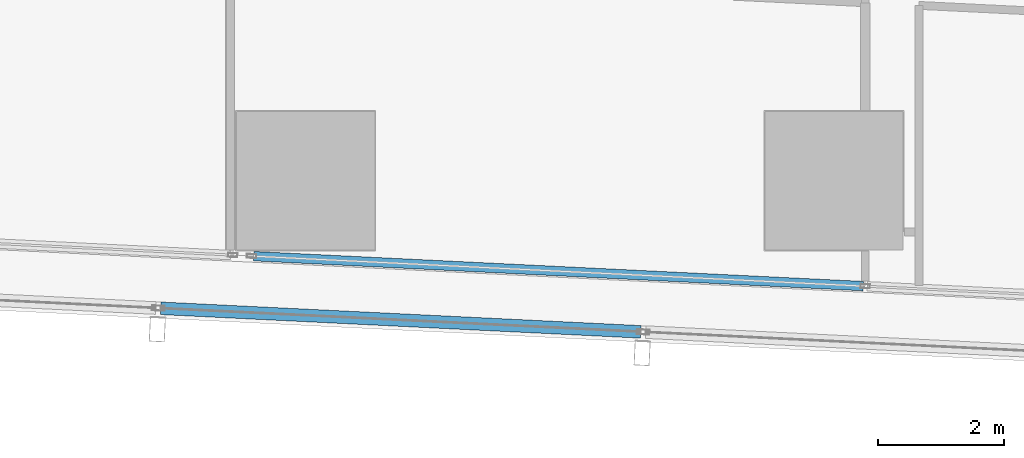
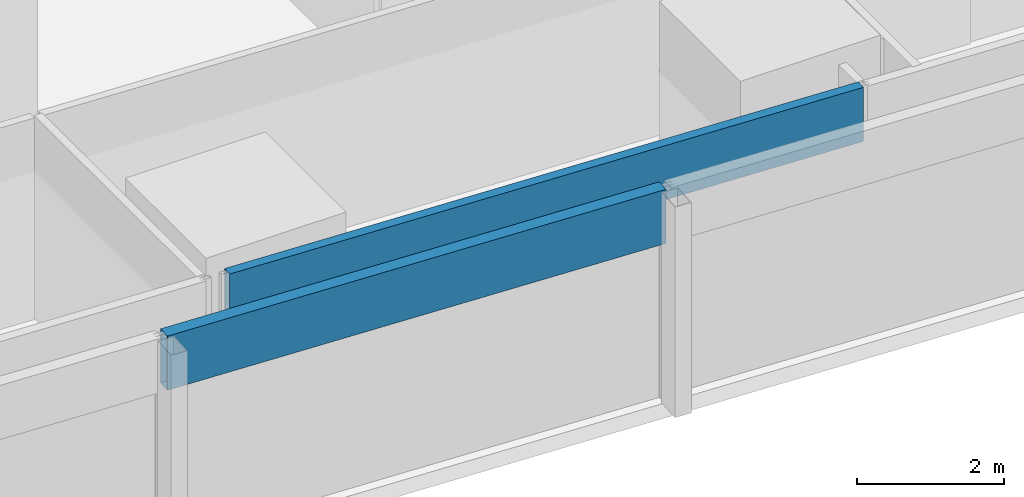
# One storey, part 3 of 45: 2 members, 2 elements without a shape of their own.
"""IFC4 building model written with IfcOpenShell, lengths in metres."""

from ifc_helpers import new_model, si_unit, direction, frame, origin, origin_2d, place, context, subcontext, project, spatial, hollow_rectangle, extrude, material, material_profile, profile_set, type_object, element, aggregate, save


model = new_model("IFC4")

# Units and contexts
model_context = context("Model", 3, precision=1e-05, world=origin(), true_north=direction((0.0, 1.0)))
body_context = subcontext(model_context, "Body", "Model", "MODEL_VIEW")
ifc_project = project(units=[si_unit("LENGTHUNIT", "METRE"), si_unit("AREAUNIT", "SQUARE_METRE"), si_unit("VOLUMEUNIT", "CUBIC_METRE"), si_unit("PLANEANGLEUNIT", "RADIAN"), si_unit("MASSUNIT", "GRAM", prefix="KILO")], contexts=[model_context])

# Site, building, storey
site_placement = place(None, origin())
site = spatial("IfcSite", under=ifc_project, at=site_placement, CompositionType="ELEMENT")
building_placement = place(site_placement, origin())
building = spatial("IfcBuilding", under=site, at=building_placement, Name="Rekha Terrace Tower", CompositionType="ELEMENT")
storey_placement = place(building_placement, frame((0.0, 0.0, 36.64990234375)))
storey = spatial("IfcBuildingStorey", under=building, at=storey_placement, Name="L08", CompositionType="ELEMENT", Elevation=36.64990234375)

# Curtain wall, member
ifc_material_1 = material(Name="Aluminium framing", Category="aluminium")
curtain_wall_type_1 = type_object("IfcCurtainWallType", Name="CW1 double skin inner glazing", PredefinedType="USERDEFINED", material=ifc_material_1)
curtain_wall_1_placement = place(storey_placement, origin())
curtain_wall_1 = element("IfcCurtainWall", 1, at=curtain_wall_1_placement, inside=storey, type_object=curtain_wall_type_1, Name="CW1 double skin inner glazing", ObjectType="DOUBLE SKIN INNER GLAZING", PredefinedType="USERDEFINED")
ifc_material_2 = material(Name="Insulated aluminium spandrel box", Category="aluminium")
ifc_material_profile_1 = material_profile(ifc_material_2, hollow_rectangle(XDim=0.14990234375, YDim=0.89990234375, WallThickness=0.0029296875, at=origin_2d()), Name="AL SPANDREL BOX 150x900")
ifc_profile_set_1 = profile_set([ifc_material_profile_1], Name="Insulated aluminium spandrel box")
member_type_1 = type_object("IfcMemberType", Name="CW1 spandrel transom 150 x 900", PredefinedType="USERDEFINED", material=ifc_profile_set_1)
member_1_placement = place(storey_placement, frame((15.973388671875, 7.200927734375, 3.050048828125), z_axis=(0.99879655824, -0.049045236754, 0.0), x_axis=(0.049045236754, 0.99879655824, 0.0)))
member_1 = element("IfcMember", 2, at=member_1_placement, type_object=member_type_1, Name="CW1 spandrel transom 1", ObjectType="TRANSOM", PredefinedType="USERDEFINED", context=body_context, shape_type="SweptSolid", body=[
    extrude(hollow_rectangle(XDim=0.14990234375, YDim=0.89990234375, WallThickness=0.0029296875, at=origin_2d()), origin(), (0.0, 0.0, 1.0), 9.701904296875),
])
aggregate(curtain_wall_1, [member_1])

curtain_wall_type_2 = type_object("IfcCurtainWallType", Name="CW2 double skin outer glazing", PredefinedType="USERDEFINED", material=ifc_material_1)
curtain_wall_2_placement = place(storey_placement, origin())
curtain_wall_2 = element("IfcCurtainWall", 3, at=curtain_wall_2_placement, inside=storey, type_object=curtain_wall_type_2, Name="CW2 double skin outer glazing", ObjectType="DOUBLE SKIN OUTER GLAZING", PredefinedType="USERDEFINED")
ifc_material_profile_2 = material_profile(ifc_material_2, hollow_rectangle(XDim=0.199951171875, YDim=0.89990234375, WallThickness=0.0029296875, at=origin_2d()), Name="AL SPANDREL BOX 200x900")
ifc_profile_set_2 = profile_set([ifc_material_profile_2], Name="Insulated aluminium spandrel box")
member_type_2 = type_object("IfcMemberType", Name="CW2 spandrel transom 200 x 900", PredefinedType="USERDEFINED", material=ifc_profile_set_2)
member_2_placement = place(storey_placement, frame((14.499755859375, 6.372314453125, 3.050048828125), z_axis=(0.998796511558, -0.049046187417, 0.0), x_axis=(0.049046187417, 0.998796511558, 0.0)))
member_2 = element("IfcMember", 4, at=member_2_placement, type_object=member_type_2, Name="CW2 spandrel transom 2", ObjectType="TRANSOM", PredefinedType="USERDEFINED", context=body_context, shape_type="SweptSolid", body=[
    extrude(hollow_rectangle(XDim=0.199951171875, YDim=0.89990234375, WallThickness=0.0029296875, at=origin_2d()), origin(), (0.0, 0.0, 1.0), 7.635986328125),
])
aggregate(curtain_wall_2, [member_2])

save(model, "model.ifc")
